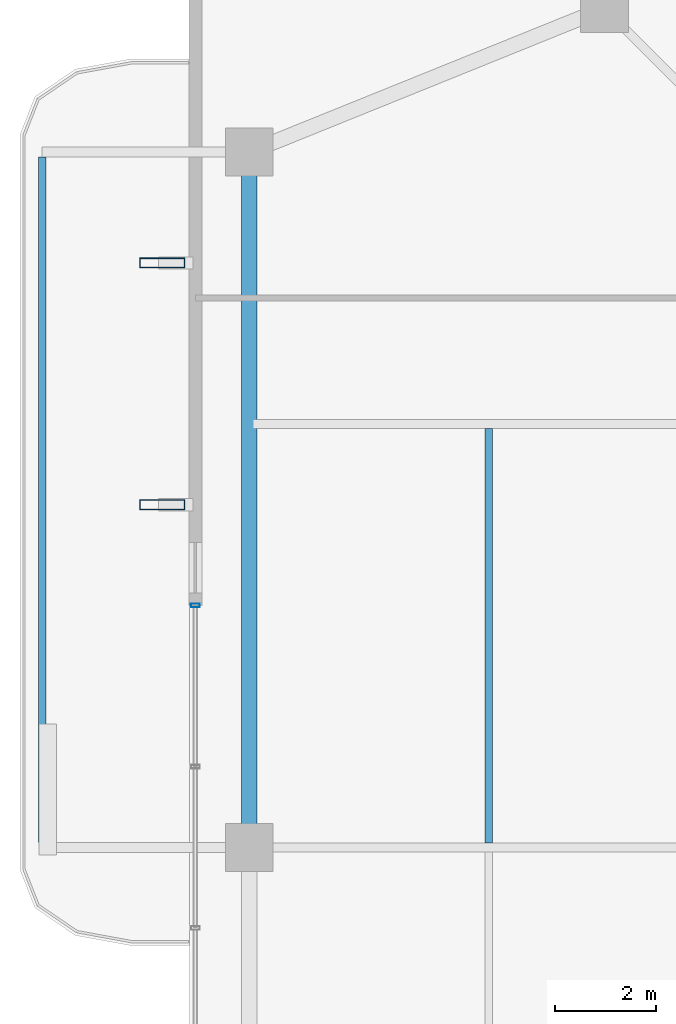
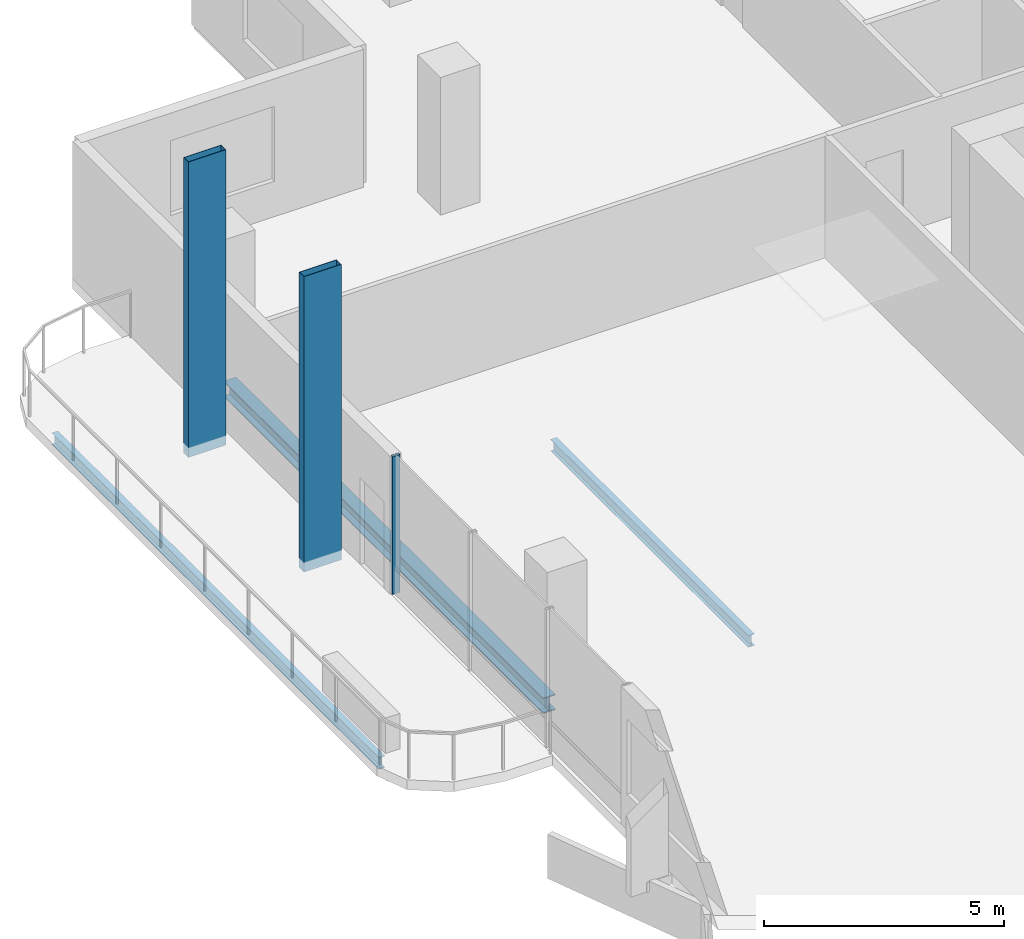
# One storey, part 11 of 25: 3 beams, 3 members, 1 element without a shape of its own.
"""IFC4 building model written with IfcOpenShell, lengths in metres."""

from ifc_helpers import new_model, si_unit, direction, frame, origin, origin_2d, place, context, subcontext, project, spatial, hollow_rectangle, i_section, extrude, material, layer, layer_set, material_profile, profile_set, type_object, element, aggregate, save


model = new_model("IFC4")

# Units and contexts
model_context = context("Model", 3, precision=1e-05, world=origin(), true_north=direction((0.0, 1.0)))
body_context = subcontext(model_context, "Body", "Model", "MODEL_VIEW")
ifc_project = project(units=[si_unit("LENGTHUNIT", "METRE"), si_unit("AREAUNIT", "SQUARE_METRE"), si_unit("VOLUMEUNIT", "CUBIC_METRE"), si_unit("PLANEANGLEUNIT", "RADIAN"), si_unit("MASSUNIT", "GRAM", prefix="KILO")], contexts=[model_context])

# Site, building, storey
site_placement = place(None, origin())
site = spatial("IfcSite", under=ifc_project, at=site_placement, CompositionType="ELEMENT")
building_placement = place(site_placement, origin())
building = spatial("IfcBuilding", under=site, at=building_placement, Name="Belovzor Exchange Tower", CompositionType="ELEMENT")
storey_placement = place(building_placement, frame((0.0, 0.0, 265.35009765625)))
storey = spatial("IfcBuildingStorey", under=building, at=storey_placement, Name="L66", CompositionType="ELEMENT", Elevation=265.35009765625)

# Beams
ifc_material_1 = material(Name="Steel S355", Category="steel")
ifc_material_profile_1 = material_profile(ifc_material_1, i_section(OverallWidth=0.14990234375, OverallDepth=0.300048828125, WebThickness=0.007080078125, FlangeThickness=0.0107421875, at=origin_2d()))
ifc_profile_set_1 = profile_set([ifc_material_profile_1], Name="Steel S355")
beam_type_1 = type_object("IfcBeamType", Name="Planted Balcony Fascia Edge Beam IPE 300", PredefinedType="BEAM", material=ifc_profile_set_1)
beam_1_placement = place(storey_placement, frame((0.989013671875, 42.5, -0.400146484375), z_axis=(0.0, -1.0, 0.0), x_axis=(1.0, 0.0, 0.0)))
element("IfcBeam", 1, at=beam_1_placement, inside=storey, type_object=beam_type_1, Name="BC-300 Planted Balcony Fascia Edge Beam IPE 300", PredefinedType="BEAM", context=body_context, shape_type="SweptSolid", body=[
    extrude(i_section(OverallWidth=0.14990234375, OverallDepth=0.300048828125, WebThickness=0.007080078125, FlangeThickness=0.0107421875, at=origin_2d()), origin(), (0.0, 0.0, 1.0), 13.60009765625),
])
ifc_material_2 = material(Name="Steel S355", Category="steel")
ifc_material_profile_2 = material_profile(ifc_material_2, i_section(OverallWidth=0.14990234375, OverallDepth=0.300048828125, WebThickness=0.007080078125, FlangeThickness=0.0107421875, at=origin_2d()))
ifc_profile_set_2 = profile_set([ifc_material_profile_2], Name="Steel S355")
beam_type_2 = type_object("IfcBeamType", Name="Secondary Trim Floor Joist IPE 300", PredefinedType="BEAM", material=ifc_profile_set_2)
beam_2_placement = place(storey_placement, frame((9.85498046875, 28.889892578125, -0.400146484375), z_axis=(0.0, 1.0, 0.0), x_axis=(-1.0, 0.0, 0.0)))
element("IfcBeam", 2, at=beam_2_placement, inside=storey, type_object=beam_type_2, Name="FJ-300 Secondary Trim Floor Joist IPE 300", PredefinedType="BEAM", context=body_context, shape_type="SweptSolid", body=[
    extrude(i_section(OverallWidth=0.14990234375, OverallDepth=0.300048828125, WebThickness=0.007080078125, FlangeThickness=0.0107421875, at=origin_2d()), origin(), (0.0, 0.0, 1.0), 8.22021484375),
])

# Members
ifc_material_3 = material(Name="Extruded Architectural Terracotta on Steel S355 Carrier", Category="masonry")
ifc_material_profile_3 = material_profile(ifc_material_3, hollow_rectangle(XDim=0.199951171875, YDim=0.89990234375, WallThickness=0.011962890625, at=origin_2d()))
ifc_profile_set_3 = profile_set([ifc_material_profile_3], Name="Extruded Architectural Terracotta on Steel S355 Carrier")
member_type_1 = type_object("IfcMemberType", Name="Sweeping Terracotta Baguette Fin Assembly 950", PredefinedType="USERDEFINED", material=ifc_profile_set_3)
for number, where, z_axis, x_axis, name in (
    (3, (3.375, 35.60009765625, -0.25), (0.0, 0.0, 1.0), (0.0, 1.0, 0.0), "FIN-TC095 Terracotta Facade Fin L66 W3"),
    (4, (3.375, 40.39990234375, -0.25), (0.0, 0.0, 1.0), (0.0, 1.0, 0.0), "FIN-TC095 Terracotta Facade Fin L66 W4"),
):
    element("IfcMember", number, at=place(storey_placement, frame(where, z_axis=z_axis, x_axis=x_axis)), inside=storey, type_object=member_type_1, Name=name, ObjectType="FIN", PredefinedType="USERDEFINED", context=body_context, shape_type="SweptSolid", body=[
        extrude(hollow_rectangle(XDim=0.199951171875, YDim=0.89990234375, WallThickness=0.011962890625, at=origin_2d()), origin(), (0.0, 0.0, 1.0), 7.5),
    ])

# Curtain wall, member
ifc_material_4 = material(Name="Anodised Aluminium Framing", Category="aluminium")
ifc_layer = layer(ifc_material_4, 0.179931640625)
ifc_layer_set = layer_set([ifc_layer], Name="Anodised Aluminium Framing")
curtain_wall_type = type_object("IfcCurtainWallType", Name="Recessed Loggia Low-Iron Triple-Glazed Curtain Wall", PredefinedType="NOTDEFINED", material=ifc_layer_set)
curtain_wall_placement = place(storey_placement, origin())
curtain_wall = element("IfcCurtainWall", 5, at=curtain_wall_placement, inside=storey, type_object=curtain_wall_type, Name="CW3 Recessed Loggia Low-Iron Triple-Glazed Curtain Wall L66", PredefinedType="NOTDEFINED")
ifc_material_5 = material(Name="Steel S355", Category="steel")
ifc_material_profile_4 = material_profile(ifc_material_5, hollow_rectangle(XDim=0.074951171875, YDim=0.179931640625, WallThickness=0.0048828125, at=origin_2d()))
ifc_profile_set_4 = profile_set([ifc_material_profile_4], Name="Steel S355")
member_type_2 = type_object("IfcMemberType", Name="Thermally Broken Curtain Wall Mullion 180x75", PredefinedType="MULLION", material=ifc_profile_set_4)
member_placement = place(storey_placement, frame((4.030029296875, 33.60009765625, 0.0), z_axis=(0.0, 0.0, 1.0), x_axis=(0.0, 1.0, 0.0)))
member = element("IfcMember", 6, at=member_placement, type_object=member_type_2, Name="CW-M180 Curtain Wall Mullion 4", PredefinedType="MULLION", context=body_context, shape_type="SweptSolid", body=[
    extrude(hollow_rectangle(XDim=0.074951171875, YDim=0.179931640625, WallThickness=0.0048828125, at=origin_2d()), origin(), (0.0, 0.0, 1.0), 3.5),
])
aggregate(curtain_wall, [member])

# Beam
ifc_material_6 = material(Name="Steel S355", Category="steel")
ifc_material_profile_5 = material_profile(ifc_material_6, i_section(OverallWidth=0.300048828125, OverallDepth=0.39990234375, WebThickness=0.013427734375, FlangeThickness=0.02392578125, at=origin_2d()))
ifc_profile_set_5 = profile_set([ifc_material_profile_5], Name="Steel S355")
beam_type_3 = type_object("IfcBeamType", Name="Zone 5 Primary Girder HEB 400", PredefinedType="BEAM", material=ifc_profile_set_5)
beam_3_placement = place(storey_placement, frame((5.10009765625, 42.339111328125, -0.4501953125), z_axis=(0.0, -1.0, 0.0), x_axis=(1.0, 0.0, 0.0)))
element("IfcBeam", 7, at=beam_3_placement, inside=storey, type_object=beam_type_3, Name="FG-Z5 Zone 5 Primary Girder HEB 400", PredefinedType="BEAM", context=body_context, shape_type="SweptSolid", body=[
    extrude(i_section(OverallWidth=0.300048828125, OverallDepth=0.39990234375, WebThickness=0.013427734375, FlangeThickness=0.02392578125, at=origin_2d()), origin(), (0.0, 0.0, 1.0), 13.278076171875),
])

save(model, "model.ifc")
